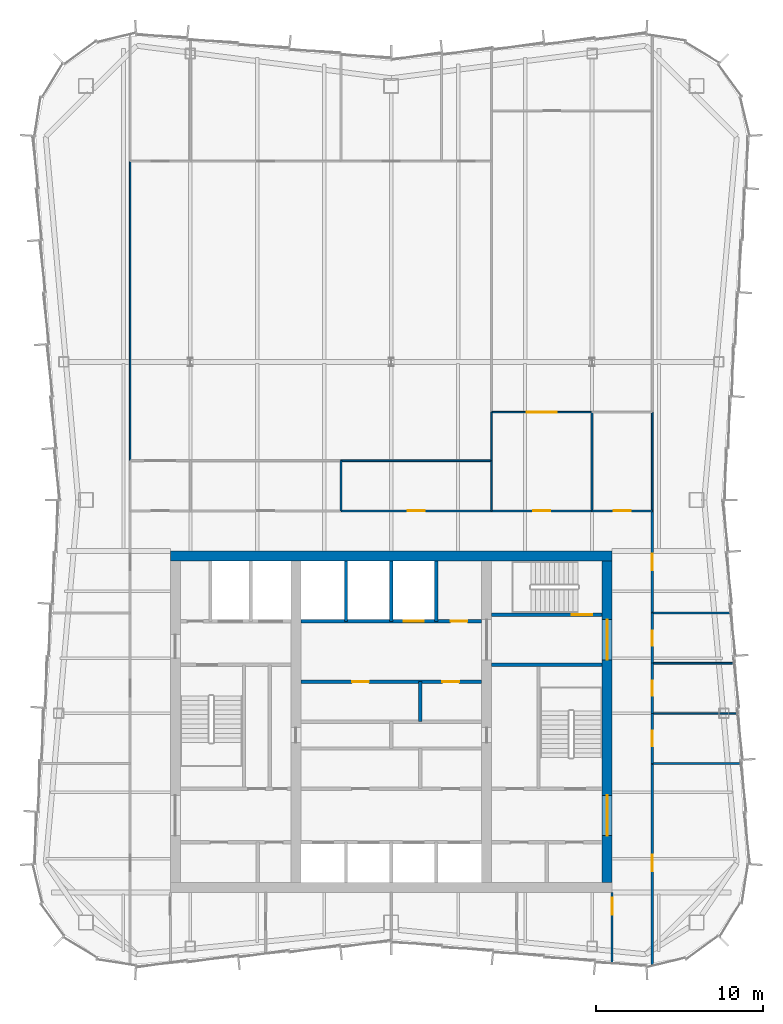
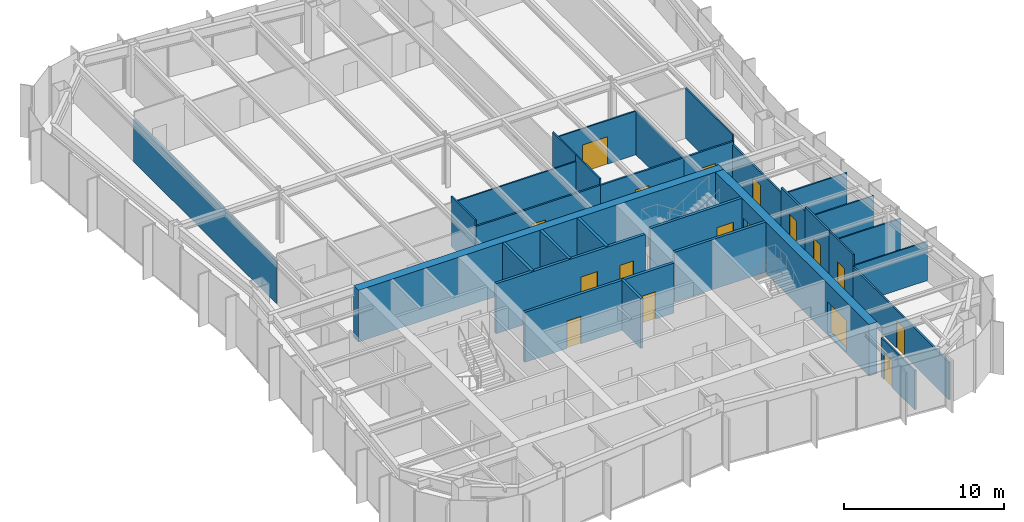
# One storey, part 11 of 13: 31 walls, 17 doors, 17 openings.
"""IFC4 building model written with IfcOpenShell, lengths in metres."""

import ifcopenshell
import ifcopenshell.guid

model = None  # the IFC model being written
_history = None  # IfcOwnerHistory: only IFC2X3 demands one
_inside = {}  # id of a spatial element -> (the spatial element, [elements in it])
_under = {}  # id of a project, library or spatial element -> (it, [spatial elements below it])
_declared = {}  # id of a project -> (the project, [libraries it declares])
_typed = {}  # id of a type object -> (the type object, [elements of that type])
_made_of = {}  # id of a material, layer set ... -> (it, [elements and type objects made of it])


def new_model(schema):
    """Start an empty IFC model of exactly this schema.

    Asked for "IFC4X3", IfcOpenShell would pick the latest addendum, in which some entities
    have other attributes; the version numbers below select the first issue.
    IFC2X3 requires an IfcOwnerHistory on every rooted entity: one is made here for all.
    """
    global model, _history
    if schema == "IFC4X3":
        model = ifcopenshell.file(schema_version=(4, 3, 0, 0))
    else:
        model = ifcopenshell.file(schema=schema)
    _inside.clear()
    _under.clear()
    _declared.clear()
    _typed.clear()
    _made_of.clear()
    _history = None
    if model.schema == "IFC2X3":
        org = make("IfcOrganization", Name="unknown")
        user = make(
            "IfcPersonAndOrganization",
            ThePerson=make("IfcPerson", FamilyName="unknown"),
            TheOrganization=org,
        )
        app = make(
            "IfcApplication",
            ApplicationDeveloper=org,
            Version="unknown",
            ApplicationFullName="unknown",
            ApplicationIdentifier="unknown",
        )
        _history = make(
            "IfcOwnerHistory",
            OwningUser=user,
            OwningApplication=app,
            ChangeAction="ADDED",
            CreationDate=0,
        )
    return model


def make(cls, **values):
    """One entity of the class cls with the attributes given. An attribute that is None is left unset."""
    return model.create_entity(
        cls, **{name: value for name, value in values.items() if value is not None}
    )


def rooted(cls, **values):
    """An entity with a GlobalId (a new one), such as an element, a storey or a relation."""
    return make(cls, GlobalId=ifcopenshell.guid.new(), OwnerHistory=_history, **values)


def si_unit(unit_type, name, prefix=None):
    """IfcSIUnit, for example si_unit("LENGTHUNIT", "METRE", prefix="MILLI")."""
    return make("IfcSIUnit", UnitType=unit_type, Prefix=prefix, Name=name)


def assignment(units):
    """IfcUnitAssignment: the units of a project."""
    return None if units is None else make("IfcUnitAssignment", Units=units)


def point(xyz):
    """IfcCartesianPoint."""
    return None if xyz is None else make("IfcCartesianPoint", Coordinates=xyz)


def direction(xyz):
    """IfcDirection."""
    return None if xyz is None else make("IfcDirection", DirectionRatios=xyz)


def frame(location, z_axis=None, x_axis=None):
    """IfcAxis2Placement3D, a coordinate frame: its origin and axes. An axis left out is left unset."""
    return make(
        "IfcAxis2Placement3D",
        Location=point(location),
        Axis=direction(z_axis),
        RefDirection=direction(x_axis),
    )


def frame_2d(location, x_axis=None):
    """IfcAxis2Placement2D, a coordinate frame in the plane: its origin and x axis."""
    return make(
        "IfcAxis2Placement2D", Location=point(location), RefDirection=direction(x_axis)
    )


def origin():
    """The frame at (0, 0, 0) with its axes left unset."""
    return frame((0.0, 0.0, 0.0))


def place(relative_to, where):
    """IfcLocalPlacement: puts the frame where relative to a parent placement (None: the world)."""
    return make(
        "IfcLocalPlacement", PlacementRelTo=relative_to, RelativePlacement=where
    )


def context(
    kind, dimensions, precision=None, world=None, true_north=None, identifier=None
):
    """IfcGeometricRepresentationContext, for example the 3D "Model" context."""
    return make(
        "IfcGeometricRepresentationContext",
        ContextIdentifier=identifier,
        ContextType=kind,
        CoordinateSpaceDimension=dimensions,
        Precision=precision,
        WorldCoordinateSystem=world,
        TrueNorth=true_north,
    )


def subcontext(parent, identifier, kind, view, scale=None):
    """IfcGeometricRepresentationSubContext, for example "Body" below "Model"."""
    return make(
        "IfcGeometricRepresentationSubContext",
        ContextIdentifier=identifier,
        ContextType=kind,
        ParentContext=parent,
        TargetScale=scale,
        TargetView=view,
    )


def project(units=None, contexts=None):
    """IfcProject with its units and contexts."""
    return rooted(
        "IfcProject",
        Name="project",
        RepresentationContexts=contexts,
        UnitsInContext=assignment(units),
    )


def spatial(cls, under=None, at=None, **own):
    """A site, building, storey or space (cls), placed at a placement, below another one or the project."""
    s = rooted(cls, ObjectPlacement=at, **own)
    if under is not None:
        _under.setdefault(under.id(), (under, []))[1].append(s)
    return s


def profile(cls, at=None, kind="AREA", **sizes):
    """A parametric profile (cls). Its sizes go by their IFC names, for example OverallWidth=200.0."""
    return make(cls, ProfileType=kind, Position=at, **sizes)


def rectangle(**sizes):
    """IfcRectangleProfileDef."""
    return profile("IfcRectangleProfileDef", **sizes)


def extrude(swept, where, along, depth):
    """IfcExtrudedAreaSolid: the profile swept, set in the frame where, extruded along a direction by depth."""
    return make(
        "IfcExtrudedAreaSolid",
        SweptArea=swept,
        Position=where,
        ExtrudedDirection=direction(along),
        Depth=depth,
    )


def shape(context_of_items, identifier, shape_type, items):
    """IfcShapeRepresentation: the items that make up one representation, for example the "Body"."""
    return make(
        "IfcShapeRepresentation",
        ContextOfItems=context_of_items,
        RepresentationIdentifier=identifier,
        RepresentationType=shape_type,
        Items=items,
    )


def material(Name=None, Category=None):
    """IfcMaterial."""
    return make("IfcMaterial", Name=Name, Category=Category)


def layer(
    of_material, thickness, ventilated=None, Name=None, Category=None, Priority=None
):
    """IfcMaterialLayer: one layer of a wall or slab, of a material (None: an air gap)."""
    return make(
        "IfcMaterialLayer",
        Material=of_material,
        LayerThickness=thickness,
        IsVentilated=ventilated,
        Name=Name,
        Category=Category,
        Priority=Priority,
    )


def layer_set(layers, Name=None):
    """IfcMaterialLayerSet."""
    return make("IfcMaterialLayerSet", MaterialLayers=layers, LayerSetName=Name)


def made_of(thing, what):
    """Note that an element or type object is made of a material, layer set ...; save() writes the relation."""
    if what is not None:
        _made_of.setdefault(what.id(), (what, []))[1].append(thing)
    return thing


def type_object(cls, material=None, **own):
    """A type object (cls), such as IfcWallType, which elements share."""
    return made_of(rooted(cls, **own), material)


def element(
    cls,
    number,
    at=None,
    inside=None,
    cuts=None,
    type_object=None,
    material=None,
    context=None,
    identifier="Body",
    shape_type=None,
    held_by="IfcProductDefinitionShape",
    body=None,
    shapes=None,
    **own,
):
    """One element of the class cls, such as IfcWall. Its Tag is "e" and its number.

    at: its placement. inside: the storey or other place that contains it. cuts: it is an
    opening in that element (IfcRelVoidsElement). A single representation is given by context,
    identifier, shape_type and body (its items); several are given by shapes. held_by: the class
    of the entity that holds the representations. save() writes the other relations.
    """
    e = rooted(cls, Tag="e%d" % number, ObjectPlacement=at, **own)
    if body is not None:
        shapes = [shape(context, identifier, shape_type, body)]
    if shapes is not None:
        e.Representation = make(held_by, Representations=shapes)
    if inside is not None:
        _inside.setdefault(inside.id(), (inside, []))[1].append(e)
    if cuts is not None:
        rooted(
            "IfcRelVoidsElement", RelatingBuildingElement=cuts, RelatedOpeningElement=e
        )
    if type_object is not None:
        _typed.setdefault(type_object.id(), (type_object, []))[1].append(e)
    return made_of(e, material)


def fill(opening, filler):
    """IfcRelFillsElement: the door or window that sits in an opening."""
    return rooted(
        "IfcRelFillsElement",
        RelatingOpeningElement=opening,
        RelatedBuildingElement=filler,
    )


def aggregate(whole, parts):
    """IfcRelAggregates: a whole, such as a stair, and the parts it consists of."""
    return rooted("IfcRelAggregates", RelatingObject=whole, RelatedObjects=parts)


def save(model, path):
    """Write the relations noted so far, then the file.

    IfcRelAggregates (storeys below a building ...), IfcRelContainedInSpatialStructure (elements
    in a storey), IfcRelDefinesByType, IfcRelAssociatesMaterial and IfcRelDeclares: one each for
    every whole, place, type object, material and project.
    """
    for whole, parts in _under.values():
        aggregate(whole, parts)
    for where, things in _inside.values():
        rooted(
            "IfcRelContainedInSpatialStructure",
            RelatedElements=things,
            RelatingStructure=where,
        )
    for kind, things in _typed.values():
        rooted("IfcRelDefinesByType", RelatedObjects=things, RelatingType=kind)
    for what, things in _made_of.values():
        rooted("IfcRelAssociatesMaterial", RelatedObjects=things, RelatingMaterial=what)
    for by, libraries in _declared.values():
        rooted("IfcRelDeclares", RelatingContext=by, RelatedDefinitions=libraries)
    model.write(path)


model = new_model("IFC4")

# Units and contexts
model_context = context("Model", 3, precision=1e-05, world=origin(), true_north=direction((0.0, 1.0)))
body_context = subcontext(model_context, "Body", "Model", "MODEL_VIEW")
ifc_project = project(units=[si_unit("LENGTHUNIT", "METRE"), si_unit("AREAUNIT", "SQUARE_METRE"), si_unit("VOLUMEUNIT", "CUBIC_METRE"), si_unit("PLANEANGLEUNIT", "RADIAN"), si_unit("MASSUNIT", "GRAM", prefix="KILO")], contexts=[model_context])

# Site, building, storey
site_placement = place(None, origin())
site = spatial("IfcSite", under=ifc_project, at=site_placement, CompositionType="ELEMENT")
building_placement = place(site_placement, origin())
building = spatial("IfcBuilding", under=site, at=building_placement, Name="Verdant Reach Tower", CompositionType="ELEMENT")
storey_placement = place(building_placement, frame((0.0, 0.0, 330.0)))
storey = spatial("IfcBuildingStorey", under=building, at=storey_placement, Name="L76", CompositionType="ELEMENT", Elevation=330.0)

# Wall, openings, doors
ifc_material_1 = material(Name="Gypsum board on steel studs", Category="steel")
ifc_layer_1 = layer(ifc_material_1, 0.199951171875)
ifc_layer_set_1 = layer_set([ifc_layer_1], Name="CO-WALL-ROOM")
wall_type_1 = type_object("IfcWallType", Name="CO-WALL-ROOM", PredefinedType="PARTITIONING", material=ifc_layer_set_1)
wall_1_placement = place(storey_placement, frame((-5.39990234375, 30.39990234375, 0.0), z_axis=(0.0, 0.0, 1.0), x_axis=(1.0, 0.0, 0.0)))
wall_1 = element("IfcWall", 1, at=wall_1_placement, inside=storey, type_object=wall_type_1, Name="Core partition, L76", PredefinedType="PARTITIONING", context=body_context, shape_type="SweptSolid", body=[
    extrude(rectangle(XDim=10.7998046875, YDim=0.199951171875, at=frame_2d((5.39990234375, 0.0))), origin(), (0.0, 0.0, 1.0), 3.820068359375),
])
opening_1_placement = place(wall_1_placement, frame((3.06396484375, 0.0, 0.0)))
opening_1 = element("IfcOpeningElement", 2, at=opening_1_placement, cuts=wall_1, Name="Opening CD", PredefinedType="OPENING", context=body_context, shape_type="SweptSolid", body=[
    extrude(rectangle(XDim=1.0, YDim=2.10009765625, at=frame_2d((0.5, 1.050048828125))), frame((0.0, 0.10986328125, 0.0), z_axis=(0.0, -1.0, 0.0), x_axis=(1.0, 0.0, 0.0)), (0.0, 0.0, 1.0), 0.219970703125),
])
opening_2_placement = place(wall_1_placement, frame((8.464111328125, 0.0, 0.0)))
opening_2 = element("IfcOpeningElement", 3, at=opening_2_placement, cuts=wall_1, Name="Opening CD", PredefinedType="OPENING", context=body_context, shape_type="SweptSolid", body=[
    extrude(rectangle(XDim=1.0, YDim=2.10009765625, at=frame_2d((0.5, 1.050048828125))), frame((0.0, 0.10986328125, 0.0), z_axis=(0.0, -1.0, 0.0), x_axis=(1.0, 0.0, 0.0)), (0.0, 0.0, 1.0), 0.219970703125),
])
ifc_material_2 = material(Name="Timber", Category="wood")
door_type_1 = type_object("IfcDoorType", Name="CO-DOOR-ROOM", OperationType="NOTDEFINED", PredefinedType="DOOR", material=ifc_material_2)
door_1_placement = place(opening_1_placement, origin())
door_1 = element("IfcDoor", 4, at=door_1_placement, inside=storey, type_object=door_type_1, Name="Core room door, L76", OperationType="SINGLE_SWING_RIGHT", OverallHeight=2.10009765625, OverallWidth=1.0, PredefinedType="DOOR", context=body_context, shape_type="SweptSolid", body=[
    extrude(rectangle(XDim=1.0, YDim=2.10009765625, at=frame_2d((0.5, 1.050048828125))), frame((0.0, 0.02490234375, 0.0), z_axis=(0.0, -1.0, 0.0), x_axis=(1.0, 0.0, 0.0)), (0.0, 0.0, 1.0), 0.050048828125),
])
fill(opening_1, door_1)
door_2_placement = place(opening_2_placement, origin())
door_2 = element("IfcDoor", 5, at=door_2_placement, inside=storey, type_object=door_type_1, Name="Core room door, L76", OperationType="SINGLE_SWING_LEFT", OverallHeight=2.10009765625, OverallWidth=1.0, PredefinedType="DOOR", context=body_context, shape_type="SweptSolid", body=[
    extrude(rectangle(XDim=1.0, YDim=2.10009765625, at=frame_2d((0.5, 1.050048828125))), frame((0.0, 0.02490234375, 0.0), z_axis=(0.0, -1.0, 0.0), x_axis=(1.0, 0.0, 0.0)), (0.0, 0.0, 1.0), 0.050048828125),
])
fill(opening_2, door_2)

# Wall
wall_2_placement = place(storey_placement, frame((1.72802734375, 28.0, 0.0), z_axis=(0.0, 0.0, 1.0), x_axis=(0.0, 1.0, 0.0)))
element("IfcWall", 6, at=wall_2_placement, inside=storey, type_object=wall_type_1, Name="Core partition, L76", PredefinedType="PARTITIONING", context=body_context, shape_type="SweptSolid", body=[
    extrude(rectangle(XDim=2.39990234375, YDim=0.199951171875, at=frame_2d((1.199951171875, 0.0))), origin(), (0.0, 0.0, 1.0), 3.820068359375),
])

# Wall, openings, doors
ifc_material_3 = material(Name="Concrete C40/50", Category="concrete")
ifc_layer_2 = layer(ifc_material_3, 0.199951171875)
ifc_layer_set_2 = layer_set([ifc_layer_2], Name="CO-WALL-SHAFT")
wall_type_2 = type_object("IfcWallType", Name="CO-WALL-SHAFT", PredefinedType="PARTITIONING", material=ifc_layer_set_2)
wall_3_placement = place(storey_placement, frame((-5.39990234375, 34.0, 0.0), z_axis=(0.0, 0.0, 1.0), x_axis=(1.0, 0.0, 0.0)))
wall_3 = element("IfcWall", 7, at=wall_3_placement, inside=storey, type_object=wall_type_2, Name="Lift shaft wall, L76", PredefinedType="PARTITIONING", context=body_context, shape_type="SweptSolid", body=[
    extrude(rectangle(XDim=10.7998046875, YDim=0.199951171875, at=frame_2d((5.39990234375, 0.0))), origin(), (0.0, 0.0, 1.0), 3.820068359375),
])
opening_3_placement = place(wall_3_placement, frame((6.14990234375, 0.0, 0.0)))
opening_3 = element("IfcOpeningElement", 8, at=opening_3_placement, cuts=wall_3, Name="Opening LD-SL1", PredefinedType="OPENING", context=body_context, shape_type="SweptSolid", body=[
    extrude(rectangle(XDim=1.199951171875, YDim=2.199951171875, at=frame_2d((0.60009765625, 1.10009765625))), frame((0.0, 0.10986328125, 0.0), z_axis=(0.0, -1.0, 0.0), x_axis=(1.0, 0.0, 0.0)), (0.0, 0.0, 1.0), 0.219970703125),
])
opening_4_placement = place(wall_3_placement, frame((8.949951171875, 0.0, 0.0)))
opening_4 = element("IfcOpeningElement", 9, at=opening_4_placement, cuts=wall_3, Name="Opening CD", PredefinedType="OPENING", context=body_context, shape_type="SweptSolid", body=[
    extrude(rectangle(XDim=1.0, YDim=2.10009765625, at=frame_2d((0.5, 1.050048828125))), frame((0.0, 0.10986328125, 0.0), z_axis=(0.0, -1.0, 0.0), x_axis=(1.0, 0.0, 0.0)), (0.0, 0.0, 1.0), 0.219970703125),
])
ifc_material_4 = material(Name="Stainless steel", Category="steel")
door_type_2 = type_object("IfcDoorType", Name="CO-DOOR-LANDING", OperationType="SLIDING_TO_LEFT", PredefinedType="DOOR", material=ifc_material_4)
door_3_placement = place(opening_3_placement, origin())
door_3 = element("IfcDoor", 10, at=door_3_placement, inside=storey, type_object=door_type_2, Name="Landing door SL1, L76", OperationType="SLIDING_TO_LEFT", OverallHeight=2.199951171875, OverallWidth=1.199951171875, PredefinedType="DOOR", context=body_context, shape_type="SweptSolid", body=[
    extrude(rectangle(XDim=1.199951171875, YDim=2.199951171875, at=frame_2d((0.60009765625, 1.10009765625))), frame((0.0, 0.02490234375, 0.0), z_axis=(0.0, -1.0, 0.0), x_axis=(1.0, 0.0, 0.0)), (0.0, 0.0, 1.0), 0.050048828125),
])
fill(opening_3, door_3)
door_4_placement = place(opening_4_placement, origin())
door_4 = element("IfcDoor", 11, at=door_4_placement, inside=storey, type_object=door_type_1, Name="Core room door, L76", OperationType="SINGLE_SWING_LEFT", OverallHeight=2.10009765625, OverallWidth=1.0, PredefinedType="DOOR", context=body_context, shape_type="SweptSolid", body=[
    extrude(rectangle(XDim=1.0, YDim=2.10009765625, at=frame_2d((0.5, 1.050048828125))), frame((0.0, 0.02490234375, 0.0), z_axis=(0.0, -1.0, 0.0), x_axis=(1.0, 0.0, 0.0)), (0.0, 0.0, 1.0), 0.050048828125),
])
fill(opening_4, door_4)

# Walls
for number, where, z_axis, x_axis, name in (
    (12, (-2.699951171875, 34.0, 0.0), (0.0, 0.0, 1.0), (0.0, 1.0, 0.0), "Lift shaft wall, L76"),
    (13, (0.0, 34.0, 0.0), (0.0, 0.0, 1.0), (0.0, 1.0, 0.0), "Lift shaft wall, L76"),
    (14, (2.699951171875, 34.0, 0.0), (0.0, 0.0, 1.0), (0.0, 1.0, 0.0), "Lift shaft wall, L76"),
):
    element("IfcWall", number, at=place(storey_placement, frame(where, z_axis=z_axis, x_axis=x_axis)), inside=storey, type_object=wall_type_2, Name=name, PredefinedType="PARTITIONING", context=body_context, shape_type="SweptSolid", body=[
        extrude(rectangle(XDim=3.60009765625, YDim=0.199951171875, at=frame_2d((1.800048828125, 0.0))), origin(), (0.0, 0.0, 1.0), 3.820068359375),
    ])
ifc_layer_3 = layer(ifc_material_3, 0.199951171875)
ifc_layer_set_3 = layer_set([ifc_layer_3], Name="CO-WALL-STAIR")
wall_type_3 = type_object("IfcWallType", Name="CO-WALL-STAIR", PredefinedType="PARTITIONING", material=ifc_layer_set_3)
wall_4_placement = place(storey_placement, frame((6.0, 31.39990234375, 0.0), z_axis=(0.0, 0.0, 1.0), x_axis=(1.0, 0.0, 0.0)))
element("IfcWall", 15, at=wall_4_placement, inside=storey, type_object=wall_type_3, Name="Stair enclosure wall, L76", PredefinedType="PARTITIONING", context=body_context, shape_type="SweptSolid", body=[
    extrude(rectangle(XDim=6.60009765625, YDim=0.199951171875, at=frame_2d((3.300048828125, 0.0))), origin(), (0.0, 0.0, 1.0), 3.820068359375),
])

# Wall, opening, door
wall_5_placement = place(storey_placement, frame((6.0, 34.39990234375, 0.0), z_axis=(0.0, 0.0, 1.0), x_axis=(1.0, 0.0, 0.0)))
wall_5 = element("IfcWall", 16, at=wall_5_placement, inside=storey, type_object=wall_type_3, Name="Stair enclosure wall, L76", PredefinedType="PARTITIONING", context=body_context, shape_type="SweptSolid", body=[
    extrude(rectangle(XDim=6.60009765625, YDim=0.199951171875, at=frame_2d((3.300048828125, 0.0))), origin(), (0.0, 0.0, 1.0), 3.820068359375),
])
opening_5_placement = place(wall_5_placement, frame((4.800048828125, 0.0, 0.0)))
opening_5 = element("IfcOpeningElement", 17, at=opening_5_placement, cuts=wall_5, Name="Opening SD", PredefinedType="OPENING", context=body_context, shape_type="SweptSolid", body=[
    extrude(rectangle(XDim=1.199951171875, YDim=2.199951171875, at=frame_2d((0.60009765625, 1.10009765625))), frame((0.0, 0.10986328125, 0.0), z_axis=(0.0, -1.0, 0.0), x_axis=(1.0, 0.0, 0.0)), (0.0, 0.0, 1.0), 0.219970703125),
])
ifc_material_5 = material(Name="Steel", Category="steel")
door_type_3 = type_object("IfcDoorType", Name="CO-DOOR-STAIR", OperationType="NOTDEFINED", PredefinedType="DOOR", material=ifc_material_5)
door_5_placement = place(opening_5_placement, origin())
door_5 = element("IfcDoor", 18, at=door_5_placement, inside=storey, type_object=door_type_3, Name="Stair door, L76", OperationType="SINGLE_SWING_RIGHT", OverallHeight=2.199951171875, OverallWidth=1.199951171875, PredefinedType="DOOR", context=body_context, shape_type="SweptSolid", body=[
    extrude(rectangle(XDim=1.199951171875, YDim=2.199951171875, at=frame_2d((0.60009765625, 1.10009765625))), frame((0.0, 0.02490234375, 0.0), z_axis=(0.0, -1.0, 0.0), x_axis=(1.0, 0.0, 0.0)), (0.0, 0.0, 1.0), 0.050048828125),
])
fill(opening_5, door_5)

# Walls
ifc_layer_4 = layer(ifc_material_1, 0.10009765625)
ifc_layer_set_4 = layer_set([ifc_layer_4], Name="FL-W1 Partition 100")
wall_type_4 = type_object("IfcWallType", Name="FL-W1 Partition 100", PredefinedType="PARTITIONING", material=ifc_layer_set_4)
wall_6_placement = place(storey_placement, frame((-15.60009765625, 43.60009765625, 0.0), z_axis=(0.0, 0.0, 1.0), x_axis=(0.0, 1.0, 0.0)))
element("IfcWall", 19, at=wall_6_placement, inside=storey, type_object=wall_type_4, Name="Partition 76.19", PredefinedType="PARTITIONING", context=body_context, shape_type="SweptSolid", body=[
    extrude(rectangle(XDim=17.89990234375, YDim=0.10009765625, at=frame_2d((8.949951171875, 0.0))), origin(), (0.0, 0.0, 1.0), 3.300048828125),
])
wall_7_placement = place(storey_placement, frame((20.916259765625, 25.5, 0.0), z_axis=(0.0, 0.0, 1.0), x_axis=(-1.0, 0.0, 0.0)))
element("IfcWall", 20, at=wall_7_placement, inside=storey, type_object=wall_type_4, Name="Partition 76.21", PredefinedType="PARTITIONING", context=body_context, shape_type="SweptSolid", body=[
    extrude(rectangle(XDim=5.316162109375, YDim=0.10009765625, at=frame_2d((2.658203125, 0.0))), origin(), (0.0, 0.0, 1.0), 2.989990234375),
])
wall_8_placement = place(storey_placement, frame((20.709228515625, 28.5, 0.0), z_axis=(0.0, 0.0, 1.0), x_axis=(-1.0, 0.0, 0.0)))
element("IfcWall", 21, at=wall_8_placement, inside=storey, type_object=wall_type_4, Name="Partition 76.22", PredefinedType="PARTITIONING", context=body_context, shape_type="SweptSolid", body=[
    extrude(rectangle(XDim=5.109130859375, YDim=0.10009765625, at=frame_2d((2.5546875, 0.0))), origin(), (0.0, 0.0, 1.0), 2.989990234375),
])
wall_9_placement = place(storey_placement, frame((20.50244140625, 31.5, 0.0), z_axis=(0.0, 0.0, 1.0), x_axis=(-1.0, 0.0, 0.0)))
element("IfcWall", 22, at=wall_9_placement, inside=storey, type_object=wall_type_4, Name="Partition 76.23", PredefinedType="PARTITIONING", context=body_context, shape_type="SweptSolid", body=[
    extrude(rectangle(XDim=4.90234375, YDim=0.10009765625, at=frame_2d((2.451171875, 0.0))), origin(), (0.0, 0.0, 1.0), 2.989990234375),
])
wall_10_placement = place(storey_placement, frame((20.29541015625, 34.5, 0.0), z_axis=(0.0, 0.0, 1.0), x_axis=(-1.0, 0.0, 0.0)))
element("IfcWall", 23, at=wall_10_placement, inside=storey, type_object=wall_type_4, Name="Partition 76.24", PredefinedType="PARTITIONING", context=body_context, shape_type="SweptSolid", body=[
    extrude(rectangle(XDim=4.6953125, YDim=0.10009765625, at=frame_2d((2.34765625, 0.0))), origin(), (0.0, 0.0, 1.0), 2.989990234375),
])
wall_11_placement = place(storey_placement, frame((15.60009765625, 46.5, 0.0), z_axis=(0.0, 0.0, 1.0), x_axis=(0.0, -1.0, 0.0)))
element("IfcWall", 24, at=wall_11_placement, inside=storey, type_object=wall_type_4, Name="Partition 76.25", PredefinedType="PARTITIONING", context=body_context, shape_type="SweptSolid", body=[
    extrude(rectangle(XDim=5.89990234375, YDim=0.10009765625, at=frame_2d((2.949951171875, 0.0))), origin(), (0.0, 0.0, 1.0), 3.820068359375),
])
wall_12_placement = place(storey_placement, frame((-3.0, 40.60009765625, 0.0), z_axis=(0.0, 0.0, 1.0), x_axis=(0.0, 1.0, 0.0)))
element("IfcWall", 25, at=wall_12_placement, inside=storey, type_object=wall_type_4, Name="Partition 76.33", PredefinedType="PARTITIONING", context=body_context, shape_type="SweptSolid", body=[
    extrude(rectangle(XDim=3.0, YDim=0.10009765625, at=frame_2d((1.5, 0.0))), origin(), (0.0, 0.0, 1.0), 3.820068359375),
])
wall_13_placement = place(storey_placement, frame((6.0, 43.60009765625, 0.0), z_axis=(0.0, 0.0, 1.0), x_axis=(-1.0, 0.0, 0.0)))
element("IfcWall", 26, at=wall_13_placement, inside=storey, type_object=wall_type_4, Name="Partition 76.35", PredefinedType="PARTITIONING", context=body_context, shape_type="SweptSolid", body=[
    extrude(rectangle(XDim=9.00390625, YDim=0.10009765625, at=frame_2d((4.501953125, 0.0))), origin(), (0.0, 0.0, 1.0), 3.340087890625),
])
wall_14_placement = place(storey_placement, frame((6.0, 40.60009765625, 0.0), z_axis=(0.0, 0.0, 1.0), x_axis=(0.0, 1.0, 0.0)))
element("IfcWall", 27, at=wall_14_placement, inside=storey, type_object=wall_type_4, Name="Partition 76.36", PredefinedType="PARTITIONING", context=body_context, shape_type="SweptSolid", body=[
    extrude(rectangle(XDim=3.00390625, YDim=0.10009765625, at=frame_2d((1.501953125, 0.0))), origin(), (0.0, 0.0, 1.0), 3.820068359375),
])
wall_15_placement = place(storey_placement, frame((6.0, 43.595947265625, 0.0), z_axis=(0.0, 0.0, 1.0), x_axis=(0.0, 1.0, 0.0)))
element("IfcWall", 28, at=wall_15_placement, inside=storey, type_object=wall_type_4, Name="Partition 76.41", PredefinedType="PARTITIONING", context=body_context, shape_type="SweptSolid", body=[
    extrude(rectangle(XDim=2.904052734375, YDim=0.10009765625, at=frame_2d((1.4521484375, 0.0))), origin(), (0.0, 0.0, 1.0), 3.820068359375),
])
wall_16_placement = place(storey_placement, frame((12.0, 40.60009765625, 0.0), z_axis=(0.0, 0.0, 1.0), x_axis=(0.0, 1.0, 0.0)))
element("IfcWall", 29, at=wall_16_placement, inside=storey, type_object=wall_type_4, Name="Partition 76.48", PredefinedType="PARTITIONING", context=body_context, shape_type="SweptSolid", body=[
    extrude(rectangle(XDim=5.89990234375, YDim=0.10009765625, at=frame_2d((2.949951171875, 0.0))), origin(), (0.0, 0.0, 1.0), 3.340087890625),
])

# Wall, opening, door
wall_17_placement = place(storey_placement, frame((6.0, 46.5, 0.0), z_axis=(0.0, 0.0, 1.0), x_axis=(1.0, 0.0, 0.0)))
wall_17 = element("IfcWall", 30, at=wall_17_placement, inside=storey, type_object=wall_type_4, Name="Partition 76.49", PredefinedType="PARTITIONING", context=body_context, shape_type="SweptSolid", body=[
    extrude(rectangle(XDim=6.00390625, YDim=0.10009765625, at=frame_2d((3.001953125, 0.0))), origin(), (0.0, 0.0, 1.0), 3.340087890625),
])
opening_6_placement = place(wall_17_placement, frame((2.10205078125, 0.0, 0.0)))
opening_6 = element("IfcOpeningElement", 31, at=opening_6_placement, cuts=wall_17, Name="Opening D5", PredefinedType="OPENING", context=body_context, shape_type="SweptSolid", body=[
    extrude(rectangle(XDim=1.800048828125, YDim=2.10009765625, at=frame_2d((0.89990234375, 1.050048828125))), frame((0.0, 0.06005859375, 0.0), z_axis=(0.0, -1.0, 0.0), x_axis=(1.0, 0.0, 0.0)), (0.0, 0.0, 1.0), 0.1201171875),
])
ifc_material_6 = material(Name="Painted timber door leaves", Category="wood")
door_type_4 = type_object("IfcDoorType", Name="FL-D5 Double door 1800x2100", OperationType="DOUBLE_DOOR_SINGLE_SWING", PredefinedType="DOOR", material=ifc_material_6)
door_6_placement = place(opening_6_placement, origin())
door_6 = element("IfcDoor", 32, at=door_6_placement, inside=storey, type_object=door_type_4, Name="Door 76-023", OperationType="DOUBLE_DOOR_SINGLE_SWING", OverallHeight=2.10009765625, OverallWidth=1.800048828125, PredefinedType="DOOR", context=body_context, shape_type="SweptSolid", body=[
    extrude(rectangle(XDim=1.800048828125, YDim=2.10009765625, at=frame_2d((0.89990234375, 1.050048828125))), frame((0.0, 0.02490234375, 0.0), z_axis=(0.0, -1.0, 0.0), x_axis=(1.0, 0.0, 0.0)), (0.0, 0.0, 1.0), 0.050048828125),
])
fill(opening_6, door_6)

ifc_material_7 = material(Name="Gypsum board on steel studs, fire rated", Category="steel")
ifc_layer_5 = layer(ifc_material_7, 0.125)
ifc_layer_set_5 = layer_set([ifc_layer_5], Name="FL-W2 Corridor wall 125")
wall_type_5 = type_object("IfcWallType", Name="FL-W2 Corridor wall 125", PredefinedType="PARTITIONING", material=ifc_layer_set_5)
wall_18_placement = place(storey_placement, frame((15.60009765625, 25.5, 0.0), z_axis=(0.0, 0.0, 1.0), x_axis=(0.0, -1.0, 0.0)))
wall_18 = element("IfcWall", 33, at=wall_18_placement, inside=storey, type_object=wall_type_5, Name="Partition 76.04", PredefinedType="PARTITIONING", context=body_context, shape_type="SweptSolid", body=[
    extrude(rectangle(XDim=12.010498046875, YDim=0.125, at=frame_2d((6.00537109375, 0.0))), origin(), (0.0, 0.0, 1.0), 2.8798828125),
])
opening_7_placement = place(wall_18_placement, frame((5.439697265625, 0.0, 0.0)))
opening_7 = element("IfcOpeningElement", 34, at=opening_7_placement, cuts=wall_18, Name="Opening D2", PredefinedType="OPENING", context=body_context, shape_type="SweptSolid", body=[
    extrude(rectangle(XDim=1.0, YDim=2.10009765625, at=frame_2d((0.5, 1.050048828125))), frame((0.0, 0.072509765625, 0.0), z_axis=(0.0, -1.0, 0.0), x_axis=(1.0, 0.0, 0.0)), (0.0, 0.0, 1.0), 0.14501953125),
])
ifc_material_8 = material(Name="Timber door leaf, fire rated", Category="wood")
door_type_5 = type_object("IfcDoorType", Name="FL-D2 Entrance door 1000x2100 FD30", OperationType="NOTDEFINED", PredefinedType="DOOR", material=ifc_material_8)
door_7_placement = place(opening_7_placement, origin())
door_7 = element("IfcDoor", 35, at=door_7_placement, inside=storey, type_object=door_type_5, Name="Door 76-004", OperationType="SINGLE_SWING_LEFT", OverallHeight=2.10009765625, OverallWidth=1.0, PredefinedType="DOOR", context=body_context, shape_type="SweptSolid", body=[
    extrude(rectangle(XDim=1.0, YDim=2.10009765625, at=frame_2d((0.5, 1.050048828125))), frame((0.0, 0.02490234375, 0.0), z_axis=(0.0, -1.0, 0.0), x_axis=(1.0, 0.0, 0.0)), (0.0, 0.0, 1.0), 0.050048828125),
])
fill(opening_7, door_7)

wall_19_placement = place(storey_placement, frame((15.60009765625, 28.5, 0.0), z_axis=(0.0, 0.0, 1.0), x_axis=(0.0, -1.0, 0.0)))
wall_19 = element("IfcWall", 36, at=wall_19_placement, inside=storey, type_object=wall_type_5, Name="Partition 76.05", PredefinedType="PARTITIONING", context=body_context, shape_type="SweptSolid", body=[
    extrude(rectangle(XDim=3.0, YDim=0.125, at=frame_2d((1.5, 0.0))), origin(), (0.0, 0.0, 1.0), 3.820068359375),
])
opening_8_placement = place(wall_19_placement, frame((1.050048828125, 0.0, 0.0)))
opening_8 = element("IfcOpeningElement", 37, at=opening_8_placement, cuts=wall_19, Name="Opening D1", PredefinedType="OPENING", context=body_context, shape_type="SweptSolid", body=[
    extrude(rectangle(XDim=0.89990234375, YDim=2.10009765625, at=frame_2d((0.449951171875, 1.050048828125))), frame((0.0, 0.072509765625, 0.0), z_axis=(0.0, -1.0, 0.0), x_axis=(1.0, 0.0, 0.0)), (0.0, 0.0, 1.0), 0.14501953125),
])
ifc_material_9 = material(Name="Painted timber door leaf", Category="wood")
door_type_6 = type_object("IfcDoorType", Name="FL-D1 Door 900x2100", OperationType="NOTDEFINED", PredefinedType="DOOR", material=ifc_material_9)
door_8_placement = place(opening_8_placement, origin())
door_8 = element("IfcDoor", 38, at=door_8_placement, inside=storey, type_object=door_type_6, Name="Door 76-005", OperationType="SINGLE_SWING_LEFT", OverallHeight=2.10009765625, OverallWidth=0.89990234375, PredefinedType="DOOR", context=body_context, shape_type="SweptSolid", body=[
    extrude(rectangle(XDim=0.89990234375, YDim=2.10009765625, at=frame_2d((0.449951171875, 1.050048828125))), frame((0.0, 0.02490234375, 0.0), z_axis=(0.0, -1.0, 0.0), x_axis=(1.0, 0.0, 0.0)), (0.0, 0.0, 1.0), 0.050048828125),
])
fill(opening_8, door_8)

wall_20_placement = place(storey_placement, frame((15.60009765625, 31.5, 0.0), z_axis=(0.0, 0.0, 1.0), x_axis=(0.0, -1.0, 0.0)))
wall_20 = element("IfcWall", 39, at=wall_20_placement, inside=storey, type_object=wall_type_5, Name="Partition 76.06", PredefinedType="PARTITIONING", context=body_context, shape_type="SweptSolid", body=[
    extrude(rectangle(XDim=3.0, YDim=0.125, at=frame_2d((1.5, 0.0))), origin(), (0.0, 0.0, 1.0), 3.820068359375),
])
opening_9_placement = place(wall_20_placement, frame((1.050048828125, 0.0, 0.0)))
opening_9 = element("IfcOpeningElement", 40, at=opening_9_placement, cuts=wall_20, Name="Opening D1", PredefinedType="OPENING", context=body_context, shape_type="SweptSolid", body=[
    extrude(rectangle(XDim=0.89990234375, YDim=2.10009765625, at=frame_2d((0.449951171875, 1.050048828125))), frame((0.0, 0.072509765625, 0.0), z_axis=(0.0, -1.0, 0.0), x_axis=(1.0, 0.0, 0.0)), (0.0, 0.0, 1.0), 0.14501953125),
])
door_9_placement = place(opening_9_placement, origin())
door_9 = element("IfcDoor", 41, at=door_9_placement, inside=storey, type_object=door_type_6, Name="Door 76-006", OperationType="SINGLE_SWING_RIGHT", OverallHeight=2.10009765625, OverallWidth=0.89990234375, PredefinedType="DOOR", context=body_context, shape_type="SweptSolid", body=[
    extrude(rectangle(XDim=0.89990234375, YDim=2.10009765625, at=frame_2d((0.449951171875, 1.050048828125))), frame((0.0, 0.02490234375, 0.0), z_axis=(0.0, -1.0, 0.0), x_axis=(1.0, 0.0, 0.0)), (0.0, 0.0, 1.0), 0.050048828125),
])
fill(opening_9, door_9)

wall_21_placement = place(storey_placement, frame((15.60009765625, 34.5, 0.0), z_axis=(0.0, 0.0, 1.0), x_axis=(0.0, -1.0, 0.0)))
wall_21 = element("IfcWall", 42, at=wall_21_placement, inside=storey, type_object=wall_type_5, Name="Partition 76.07", PredefinedType="PARTITIONING", context=body_context, shape_type="SweptSolid", body=[
    extrude(rectangle(XDim=3.0, YDim=0.125, at=frame_2d((1.5, 0.0))), origin(), (0.0, 0.0, 1.0), 3.489990234375),
])
opening_10_placement = place(wall_21_placement, frame((1.050048828125, 0.0, 0.0)))
opening_10 = element("IfcOpeningElement", 43, at=opening_10_placement, cuts=wall_21, Name="Opening D1", PredefinedType="OPENING", context=body_context, shape_type="SweptSolid", body=[
    extrude(rectangle(XDim=0.89990234375, YDim=2.10009765625, at=frame_2d((0.449951171875, 1.050048828125))), frame((0.0, 0.072509765625, 0.0), z_axis=(0.0, -1.0, 0.0), x_axis=(1.0, 0.0, 0.0)), (0.0, 0.0, 1.0), 0.14501953125),
])
door_10_placement = place(opening_10_placement, origin())
door_10 = element("IfcDoor", 44, at=door_10_placement, inside=storey, type_object=door_type_6, Name="Door 76-007", OperationType="SINGLE_SWING_LEFT", OverallHeight=2.10009765625, OverallWidth=0.89990234375, PredefinedType="DOOR", context=body_context, shape_type="SweptSolid", body=[
    extrude(rectangle(XDim=0.89990234375, YDim=2.10009765625, at=frame_2d((0.449951171875, 1.050048828125))), frame((0.0, 0.02490234375, 0.0), z_axis=(0.0, -1.0, 0.0), x_axis=(1.0, 0.0, 0.0)), (0.0, 0.0, 1.0), 0.050048828125),
])
fill(opening_10, door_10)

wall_22_placement = place(storey_placement, frame((15.60009765625, 40.60400390625, 0.0), z_axis=(0.0, 0.0, 1.0), x_axis=(0.0, -1.0, 0.0)))
wall_22 = element("IfcWall", 45, at=wall_22_placement, inside=storey, type_object=wall_type_5, Name="Partition 76.08", PredefinedType="PARTITIONING", context=body_context, shape_type="SweptSolid", body=[
    extrude(rectangle(XDim=6.10400390625, YDim=0.125, at=frame_2d((3.052001953125, 0.0))), origin(), (0.0, 0.0, 1.0), 3.090087890625),
])
opening_11_placement = place(wall_22_placement, frame((2.552001953125, 0.0, 0.0)))
opening_11 = element("IfcOpeningElement", 46, at=opening_11_placement, cuts=wall_22, Name="Opening D2", PredefinedType="OPENING", context=body_context, shape_type="SweptSolid", body=[
    extrude(rectangle(XDim=1.0, YDim=2.10009765625, at=frame_2d((0.5, 1.050048828125))), frame((0.0, 0.072509765625, 0.0), z_axis=(0.0, -1.0, 0.0), x_axis=(1.0, 0.0, 0.0)), (0.0, 0.0, 1.0), 0.14501953125),
])
door_11_placement = place(opening_11_placement, origin())
door_11 = element("IfcDoor", 47, at=door_11_placement, inside=storey, type_object=door_type_5, Name="Door 76-008", OperationType="SINGLE_SWING_RIGHT", OverallHeight=2.10009765625, OverallWidth=1.0, PredefinedType="DOOR", context=body_context, shape_type="SweptSolid", body=[
    extrude(rectangle(XDim=1.0, YDim=2.10009765625, at=frame_2d((0.5, 1.050048828125))), frame((0.0, 0.02490234375, 0.0), z_axis=(0.0, -1.0, 0.0), x_axis=(1.0, 0.0, 0.0)), (0.0, 0.0, 1.0), 0.050048828125),
])
fill(opening_11, door_11)

wall_23_placement = place(storey_placement, frame((13.199951171875, 13.62158203125, 0.0), z_axis=(0.0, 0.0, 1.0), x_axis=(0.0, 1.0, 0.0)))
wall_23 = element("IfcWall", 48, at=wall_23_placement, inside=storey, type_object=wall_type_5, Name="Partition 76.10", PredefinedType="PARTITIONING", context=body_context, shape_type="SweptSolid", body=[
    extrude(rectangle(XDim=4.178466796875, YDim=0.125, at=frame_2d((2.08935546875, 0.0))), origin(), (0.0, 0.0, 1.0), 2.989990234375),
])
opening_12_placement = place(wall_23_placement, frame((2.854248046875, 0.0, 0.0)))
opening_12 = element("IfcOpeningElement", 49, at=opening_12_placement, cuts=wall_23, Name="Opening D2", PredefinedType="OPENING", context=body_context, shape_type="SweptSolid", body=[
    extrude(rectangle(XDim=1.0, YDim=2.10009765625, at=frame_2d((0.5, 1.050048828125))), frame((0.0, 0.072509765625, 0.0), z_axis=(0.0, -1.0, 0.0), x_axis=(1.0, 0.0, 0.0)), (0.0, 0.0, 1.0), 0.14501953125),
])
door_12_placement = place(opening_12_placement, origin())
door_12 = element("IfcDoor", 50, at=door_12_placement, inside=storey, type_object=door_type_5, Name="Door 76-010", OperationType="SINGLE_SWING_RIGHT", OverallHeight=2.10009765625, OverallWidth=1.0, PredefinedType="DOOR", context=body_context, shape_type="SweptSolid", body=[
    extrude(rectangle(XDim=1.0, YDim=2.10009765625, at=frame_2d((0.5, 1.050048828125))), frame((0.0, 0.02490234375, 0.0), z_axis=(0.0, -1.0, 0.0), x_axis=(1.0, 0.0, 0.0)), (0.0, 0.0, 1.0), 0.050048828125),
])
fill(opening_12, door_12)

wall_24_placement = place(storey_placement, frame((-3.0, 40.60009765625, 0.0), z_axis=(0.0, 0.0, 1.0), x_axis=(1.0, 0.0, 0.0)))
wall_24 = element("IfcWall", 51, at=wall_24_placement, inside=storey, type_object=wall_type_5, Name="Partition 76.13", PredefinedType="PARTITIONING", context=body_context, shape_type="SweptSolid", body=[
    extrude(rectangle(XDim=9.0, YDim=0.125, at=frame_2d((4.5, 0.0))), origin(), (0.0, 0.0, 1.0), 3.340087890625),
])
opening_13_placement = place(wall_24_placement, frame((4.0, 0.0, 0.0)))
opening_13 = element("IfcOpeningElement", 52, at=opening_13_placement, cuts=wall_24, Name="Opening D2", PredefinedType="OPENING", context=body_context, shape_type="SweptSolid", body=[
    extrude(rectangle(XDim=1.0, YDim=2.10009765625, at=frame_2d((0.5, 1.050048828125))), frame((0.0, 0.072509765625, 0.0), z_axis=(0.0, -1.0, 0.0), x_axis=(1.0, 0.0, 0.0)), (0.0, 0.0, 1.0), 0.14501953125),
])
door_13_placement = place(opening_13_placement, origin())
door_13 = element("IfcDoor", 53, at=door_13_placement, inside=storey, type_object=door_type_5, Name="Door 76-013", OperationType="SINGLE_SWING_LEFT", OverallHeight=2.10009765625, OverallWidth=1.0, PredefinedType="DOOR", context=body_context, shape_type="SweptSolid", body=[
    extrude(rectangle(XDim=1.0, YDim=2.10009765625, at=frame_2d((0.5, 1.050048828125))), frame((0.0, 0.02490234375, 0.0), z_axis=(0.0, -1.0, 0.0), x_axis=(1.0, 0.0, 0.0)), (0.0, 0.0, 1.0), 0.050048828125),
])
fill(opening_13, door_13)

wall_25_placement = place(storey_placement, frame((6.0, 40.60009765625, 0.0), z_axis=(0.0, 0.0, 1.0), x_axis=(1.0, 0.0, 0.0)))
wall_25 = element("IfcWall", 54, at=wall_25_placement, inside=storey, type_object=wall_type_5, Name="Partition 76.14", PredefinedType="PARTITIONING", context=body_context, shape_type="SweptSolid", body=[
    extrude(rectangle(XDim=6.0, YDim=0.125, at=frame_2d((3.0, 0.0))), origin(), (0.0, 0.0, 1.0), 3.340087890625),
])
opening_14_placement = place(wall_25_placement, frame((2.5, 0.0, 0.0)))
opening_14 = element("IfcOpeningElement", 55, at=opening_14_placement, cuts=wall_25, Name="Opening D2", PredefinedType="OPENING", context=body_context, shape_type="SweptSolid", body=[
    extrude(rectangle(XDim=1.0, YDim=2.10009765625, at=frame_2d((0.5, 1.050048828125))), frame((0.0, 0.072509765625, 0.0), z_axis=(0.0, -1.0, 0.0), x_axis=(1.0, 0.0, 0.0)), (0.0, 0.0, 1.0), 0.14501953125),
])
door_14_placement = place(opening_14_placement, origin())
door_14 = element("IfcDoor", 56, at=door_14_placement, inside=storey, type_object=door_type_5, Name="Door 76-014", OperationType="SINGLE_SWING_RIGHT", OverallHeight=2.10009765625, OverallWidth=1.0, PredefinedType="DOOR", context=body_context, shape_type="SweptSolid", body=[
    extrude(rectangle(XDim=1.0, YDim=2.10009765625, at=frame_2d((0.5, 1.050048828125))), frame((0.0, 0.02490234375, 0.0), z_axis=(0.0, -1.0, 0.0), x_axis=(1.0, 0.0, 0.0)), (0.0, 0.0, 1.0), 0.050048828125),
])
fill(opening_14, door_14)

wall_26_placement = place(storey_placement, frame((12.0, 40.60009765625, 0.0), z_axis=(0.0, 0.0, 1.0), x_axis=(1.0, 0.0, 0.0)))
wall_26 = element("IfcWall", 57, at=wall_26_placement, inside=storey, type_object=wall_type_5, Name="Partition 76.15", PredefinedType="PARTITIONING", context=body_context, shape_type="SweptSolid", body=[
    extrude(rectangle(XDim=3.60009765625, YDim=0.125, at=frame_2d((1.800048828125, 0.0))), origin(), (0.0, 0.0, 1.0), 3.340087890625),
])
opening_15_placement = place(wall_26_placement, frame((1.300048828125, 0.0, 0.0)))
opening_15 = element("IfcOpeningElement", 58, at=opening_15_placement, cuts=wall_26, Name="Opening D2", PredefinedType="OPENING", context=body_context, shape_type="SweptSolid", body=[
    extrude(rectangle(XDim=1.0, YDim=2.10009765625, at=frame_2d((0.5, 1.050048828125))), frame((0.0, 0.072509765625, 0.0), z_axis=(0.0, -1.0, 0.0), x_axis=(1.0, 0.0, 0.0)), (0.0, 0.0, 1.0), 0.14501953125),
])
door_15_placement = place(opening_15_placement, origin())
door_15 = element("IfcDoor", 59, at=door_15_placement, inside=storey, type_object=door_type_5, Name="Door 76-015", OperationType="SINGLE_SWING_LEFT", OverallHeight=2.10009765625, OverallWidth=1.0, PredefinedType="DOOR", context=body_context, shape_type="SweptSolid", body=[
    extrude(rectangle(XDim=1.0, YDim=2.10009765625, at=frame_2d((0.5, 1.050048828125))), frame((0.0, 0.02490234375, 0.0), z_axis=(0.0, -1.0, 0.0), x_axis=(1.0, 0.0, 0.0)), (0.0, 0.0, 1.0), 0.050048828125),
])
fill(opening_15, door_15)

# Wall
ifc_material_10 = material(Name="Concrete C70/85", Category="concrete")
ifc_layer_6 = layer(ifc_material_10, 0.60009765625)
ifc_layer_set_6 = layer_set([ifc_layer_6], Name="ST-CORE-WALL-600")
wall_type_6 = type_object("IfcWallType", Name="ST-CORE-WALL-600", PredefinedType="SHEAR", material=ifc_layer_set_6)
wall_27_placement = place(storey_placement, frame((-13.199951171875, 37.89990234375, -0.1298828125), z_axis=(0.0, 0.0, 1.0), x_axis=(1.0, 0.0, 0.0)))
element("IfcWall", 60, at=wall_27_placement, inside=storey, type_object=wall_type_6, Name="Core wall N, L76", PredefinedType="SHEAR", context=body_context, shape_type="SweptSolid", body=[
    extrude(rectangle(XDim=26.39990234375, YDim=0.60009765625, at=frame_2d((13.199951171875, 0.0))), origin(), (0.0, 0.0, 1.0), 3.949951171875),
])

# Wall, openings, doors
wall_28_placement = place(storey_placement, frame((12.89990234375, 18.39990234375, -0.1298828125), z_axis=(0.0, 0.0, 1.0), x_axis=(0.0, 1.0, 0.0)))
wall_28 = element("IfcWall", 61, at=wall_28_placement, inside=storey, type_object=wall_type_6, Name="Core wall E, L76", PredefinedType="SHEAR", context=body_context, shape_type="SweptSolid", body=[
    extrude(rectangle(XDim=19.2001953125, YDim=0.60009765625, at=frame_2d((9.60009765625, 0.0))), origin(), (0.0, 0.0, 1.0), 3.949951171875),
])
opening_16_placement = place(wall_28_placement, frame((2.800048828125, 0.0, 0.1298828125)))
opening_16 = element("IfcOpeningElement", 62, at=opening_16_placement, cuts=wall_28, Name="Opening LB", PredefinedType="OPENING", context=body_context, shape_type="SweptSolid", body=[
    extrude(rectangle(XDim=2.39990234375, YDim=2.39990234375, at=frame_2d((1.199951171875, 1.199951171875))), frame((0.0, 0.31005859375, 0.0), z_axis=(0.0, -1.0, 0.0), x_axis=(1.0, 0.0, 0.0)), (0.0, 0.0, 1.0), 0.6201171875),
])
opening_17_placement = place(wall_28_placement, frame((13.300048828125, 0.0, 0.1298828125)))
opening_17 = element("IfcOpeningElement", 63, at=opening_17_placement, cuts=wall_28, Name="Opening LB", PredefinedType="OPENING", context=body_context, shape_type="SweptSolid", body=[
    extrude(rectangle(XDim=2.39990234375, YDim=2.39990234375, at=frame_2d((1.199951171875, 1.199951171875))), frame((0.0, 0.31005859375, 0.0), z_axis=(0.0, -1.0, 0.0), x_axis=(1.0, 0.0, 0.0)), (0.0, 0.0, 1.0), 0.6201171875),
])
ifc_material_11 = material(Name="Glass and steel", Category="steel")
door_type_7 = type_object("IfcDoorType", Name="CO-DOOR-LOBBY", OperationType="DOUBLE_DOOR_SINGLE_SWING", PredefinedType="DOOR", material=ifc_material_11)
door_16_placement = place(opening_16_placement, origin())
door_16 = element("IfcDoor", 64, at=door_16_placement, inside=storey, type_object=door_type_7, Name="Core entrance door, L76", OperationType="DOUBLE_DOOR_SINGLE_SWING", OverallHeight=2.39990234375, OverallWidth=2.39990234375, PredefinedType="DOOR", context=body_context, shape_type="SweptSolid", body=[
    extrude(rectangle(XDim=2.39990234375, YDim=2.39990234375, at=frame_2d((1.199951171875, 1.199951171875))), frame((0.0, 0.02490234375, 0.0), z_axis=(0.0, -1.0, 0.0), x_axis=(1.0, 0.0, 0.0)), (0.0, 0.0, 1.0), 0.050048828125),
])
fill(opening_16, door_16)
door_17_placement = place(opening_17_placement, origin())
door_17 = element("IfcDoor", 65, at=door_17_placement, inside=storey, type_object=door_type_7, Name="Core entrance door, L76", OperationType="DOUBLE_DOOR_SINGLE_SWING", OverallHeight=2.39990234375, OverallWidth=2.39990234375, PredefinedType="DOOR", context=body_context, shape_type="SweptSolid", body=[
    extrude(rectangle(XDim=2.39990234375, YDim=2.39990234375, at=frame_2d((1.199951171875, 1.199951171875))), frame((0.0, 0.02490234375, 0.0), z_axis=(0.0, -1.0, 0.0), x_axis=(1.0, 0.0, 0.0)), (0.0, 0.0, 1.0), 0.050048828125),
])
fill(opening_17, door_17)

save(model, "model.ifc")
